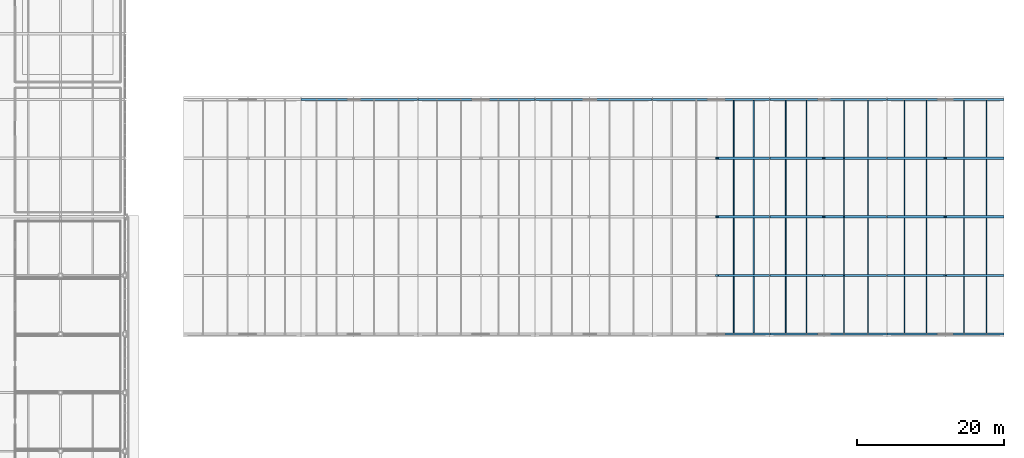
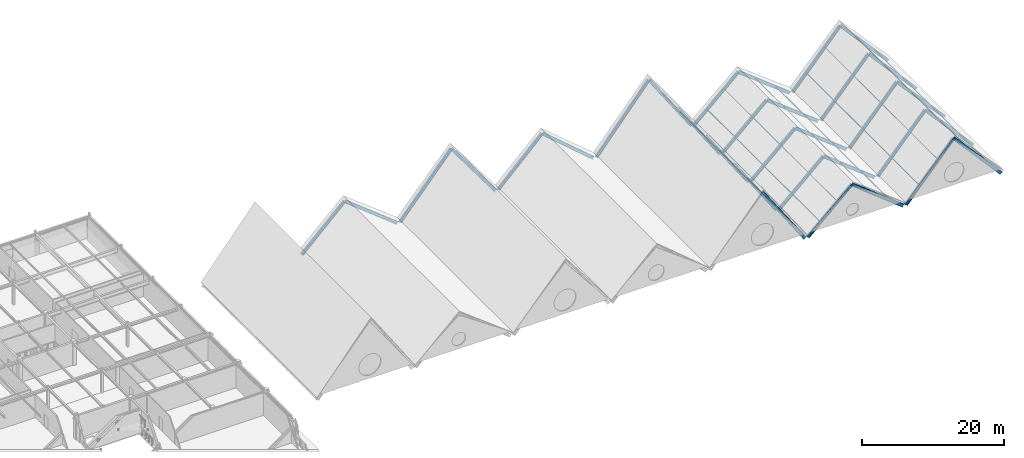
# One storey, part 25 of 64: 42 members.
"""IFC4 building model written with IfcOpenShell, lengths in metres."""

import ifcopenshell
import ifcopenshell.guid

model = None  # the IFC model being written
_history = None  # IfcOwnerHistory: only IFC2X3 demands one
_inside = {}  # id of a spatial element -> (the spatial element, [elements in it])
_under = {}  # id of a project, library or spatial element -> (it, [spatial elements below it])
_declared = {}  # id of a project -> (the project, [libraries it declares])
_typed = {}  # id of a type object -> (the type object, [elements of that type])
_made_of = {}  # id of a material, layer set ... -> (it, [elements and type objects made of it])


def new_model(schema):
    """Start an empty IFC model of exactly this schema.

    Asked for "IFC4X3", IfcOpenShell would pick the latest addendum, in which some entities
    have other attributes; the version numbers below select the first issue.
    IFC2X3 requires an IfcOwnerHistory on every rooted entity: one is made here for all.
    """
    global model, _history
    if schema == "IFC4X3":
        model = ifcopenshell.file(schema_version=(4, 3, 0, 0))
    else:
        model = ifcopenshell.file(schema=schema)
    _inside.clear()
    _under.clear()
    _declared.clear()
    _typed.clear()
    _made_of.clear()
    _history = None
    if model.schema == "IFC2X3":
        org = make("IfcOrganization", Name="unknown")
        user = make(
            "IfcPersonAndOrganization",
            ThePerson=make("IfcPerson", FamilyName="unknown"),
            TheOrganization=org,
        )
        app = make(
            "IfcApplication",
            ApplicationDeveloper=org,
            Version="unknown",
            ApplicationFullName="unknown",
            ApplicationIdentifier="unknown",
        )
        _history = make(
            "IfcOwnerHistory",
            OwningUser=user,
            OwningApplication=app,
            ChangeAction="ADDED",
            CreationDate=0,
        )
    return model


def make(cls, **values):
    """One entity of the class cls with the attributes given. An attribute that is None is left unset."""
    return model.create_entity(
        cls, **{name: value for name, value in values.items() if value is not None}
    )


def rooted(cls, **values):
    """An entity with a GlobalId (a new one), such as an element, a storey or a relation."""
    return make(cls, GlobalId=ifcopenshell.guid.new(), OwnerHistory=_history, **values)


def si_unit(unit_type, name, prefix=None):
    """IfcSIUnit, for example si_unit("LENGTHUNIT", "METRE", prefix="MILLI")."""
    return make("IfcSIUnit", UnitType=unit_type, Prefix=prefix, Name=name)


def assignment(units):
    """IfcUnitAssignment: the units of a project."""
    return None if units is None else make("IfcUnitAssignment", Units=units)


def point(xyz):
    """IfcCartesianPoint."""
    return None if xyz is None else make("IfcCartesianPoint", Coordinates=xyz)


def direction(xyz):
    """IfcDirection."""
    return None if xyz is None else make("IfcDirection", DirectionRatios=xyz)


def frame(location, z_axis=None, x_axis=None):
    """IfcAxis2Placement3D, a coordinate frame: its origin and axes. An axis left out is left unset."""
    return make(
        "IfcAxis2Placement3D",
        Location=point(location),
        Axis=direction(z_axis),
        RefDirection=direction(x_axis),
    )


def frame_2d(location, x_axis=None):
    """IfcAxis2Placement2D, a coordinate frame in the plane: its origin and x axis."""
    return make(
        "IfcAxis2Placement2D", Location=point(location), RefDirection=direction(x_axis)
    )


def origin():
    """The frame at (0, 0, 0) with its axes left unset."""
    return frame((0.0, 0.0, 0.0))


def origin_2d():
    """The frame at (0, 0) in the plane with its x axis left unset."""
    return frame_2d((0.0, 0.0))


def place(relative_to, where):
    """IfcLocalPlacement: puts the frame where relative to a parent placement (None: the world)."""
    return make(
        "IfcLocalPlacement", PlacementRelTo=relative_to, RelativePlacement=where
    )


def context(
    kind, dimensions, precision=None, world=None, true_north=None, identifier=None
):
    """IfcGeometricRepresentationContext, for example the 3D "Model" context."""
    return make(
        "IfcGeometricRepresentationContext",
        ContextIdentifier=identifier,
        ContextType=kind,
        CoordinateSpaceDimension=dimensions,
        Precision=precision,
        WorldCoordinateSystem=world,
        TrueNorth=true_north,
    )


def subcontext(parent, identifier, kind, view, scale=None):
    """IfcGeometricRepresentationSubContext, for example "Body" below "Model"."""
    return make(
        "IfcGeometricRepresentationSubContext",
        ContextIdentifier=identifier,
        ContextType=kind,
        ParentContext=parent,
        TargetScale=scale,
        TargetView=view,
    )


def project(units=None, contexts=None):
    """IfcProject with its units and contexts."""
    return rooted(
        "IfcProject",
        Name="project",
        RepresentationContexts=contexts,
        UnitsInContext=assignment(units),
    )


def spatial(cls, under=None, at=None, **own):
    """A site, building, storey or space (cls), placed at a placement, below another one or the project."""
    s = rooted(cls, ObjectPlacement=at, **own)
    if under is not None:
        _under.setdefault(under.id(), (under, []))[1].append(s)
    return s


def profile(cls, at=None, kind="AREA", **sizes):
    """A parametric profile (cls). Its sizes go by their IFC names, for example OverallWidth=200.0."""
    return make(cls, ProfileType=kind, Position=at, **sizes)


def hollow_rectangle(**sizes):
    """IfcRectangleHollowProfileDef."""
    return profile("IfcRectangleHollowProfileDef", **sizes)


def i_section(**sizes):
    """IfcIShapeProfileDef."""
    return profile("IfcIShapeProfileDef", **sizes)


def extrude(swept, where, along, depth):
    """IfcExtrudedAreaSolid: the profile swept, set in the frame where, extruded along a direction by depth."""
    return make(
        "IfcExtrudedAreaSolid",
        SweptArea=swept,
        Position=where,
        ExtrudedDirection=direction(along),
        Depth=depth,
    )


def shape(context_of_items, identifier, shape_type, items):
    """IfcShapeRepresentation: the items that make up one representation, for example the "Body"."""
    return make(
        "IfcShapeRepresentation",
        ContextOfItems=context_of_items,
        RepresentationIdentifier=identifier,
        RepresentationType=shape_type,
        Items=items,
    )


def material(Name=None, Category=None):
    """IfcMaterial."""
    return make("IfcMaterial", Name=Name, Category=Category)


def material_profile(
    of_material, cross_section, Name=None, Category=None, Priority=None
):
    """IfcMaterialProfile: a cross section and its material."""
    return make(
        "IfcMaterialProfile",
        Name=Name,
        Material=of_material,
        Profile=cross_section,
        Priority=Priority,
        Category=Category,
    )


def profile_set(profiles, Name=None, composite=None):
    """IfcMaterialProfileSet."""
    return make(
        "IfcMaterialProfileSet",
        Name=Name,
        MaterialProfiles=profiles,
        CompositeProfile=composite,
    )


def made_of(thing, what):
    """Note that an element or type object is made of a material, layer set ...; save() writes the relation."""
    if what is not None:
        _made_of.setdefault(what.id(), (what, []))[1].append(thing)
    return thing


def type_object(cls, material=None, **own):
    """A type object (cls), such as IfcWallType, which elements share."""
    return made_of(rooted(cls, **own), material)


def element(
    cls,
    number,
    at=None,
    inside=None,
    cuts=None,
    type_object=None,
    material=None,
    context=None,
    identifier="Body",
    shape_type=None,
    held_by="IfcProductDefinitionShape",
    body=None,
    shapes=None,
    **own,
):
    """One element of the class cls, such as IfcWall. Its Tag is "e" and its number.

    at: its placement. inside: the storey or other place that contains it. cuts: it is an
    opening in that element (IfcRelVoidsElement). A single representation is given by context,
    identifier, shape_type and body (its items); several are given by shapes. held_by: the class
    of the entity that holds the representations. save() writes the other relations.
    """
    e = rooted(cls, Tag="e%d" % number, ObjectPlacement=at, **own)
    if body is not None:
        shapes = [shape(context, identifier, shape_type, body)]
    if shapes is not None:
        e.Representation = make(held_by, Representations=shapes)
    if inside is not None:
        _inside.setdefault(inside.id(), (inside, []))[1].append(e)
    if cuts is not None:
        rooted(
            "IfcRelVoidsElement", RelatingBuildingElement=cuts, RelatedOpeningElement=e
        )
    if type_object is not None:
        _typed.setdefault(type_object.id(), (type_object, []))[1].append(e)
    return made_of(e, material)


def aggregate(whole, parts):
    """IfcRelAggregates: a whole, such as a stair, and the parts it consists of."""
    return rooted("IfcRelAggregates", RelatingObject=whole, RelatedObjects=parts)


def save(model, path):
    """Write the relations noted so far, then the file.

    IfcRelAggregates (storeys below a building ...), IfcRelContainedInSpatialStructure (elements
    in a storey), IfcRelDefinesByType, IfcRelAssociatesMaterial and IfcRelDeclares: one each for
    every whole, place, type object, material and project.
    """
    for whole, parts in _under.values():
        aggregate(whole, parts)
    for where, things in _inside.values():
        rooted(
            "IfcRelContainedInSpatialStructure",
            RelatedElements=things,
            RelatingStructure=where,
        )
    for kind, things in _typed.values():
        rooted("IfcRelDefinesByType", RelatedObjects=things, RelatingType=kind)
    for what, things in _made_of.values():
        rooted("IfcRelAssociatesMaterial", RelatedObjects=things, RelatingMaterial=what)
    for by, libraries in _declared.values():
        rooted("IfcRelDeclares", RelatingContext=by, RelatedDefinitions=libraries)
    model.write(path)


model = new_model("IFC4")

# Units and contexts
model_context = context("Model", 3, precision=1e-05, world=origin(), true_north=direction((0.0, 1.0)))
body_context = subcontext(model_context, "Body", "Model", "MODEL_VIEW")
ifc_project = project(units=[si_unit("LENGTHUNIT", "METRE"), si_unit("AREAUNIT", "SQUARE_METRE"), si_unit("VOLUMEUNIT", "CUBIC_METRE"), si_unit("PLANEANGLEUNIT", "RADIAN"), si_unit("MASSUNIT", "GRAM", prefix="KILO")], contexts=[model_context])

# Site, building, storey
site_placement = place(None, origin())
site = spatial("IfcSite", under=ifc_project, at=site_placement, CompositionType="ELEMENT")
building_placement = place(site_placement, origin())
building = spatial("IfcBuilding", under=site, at=building_placement, Name="Zhaolan Boulevard Law Courts", CompositionType="ELEMENT")
storey_placement = place(building_placement, frame((0.0, 0.0, 20.39990234375)))
storey = spatial("IfcBuildingStorey", under=building, at=storey_placement, Name="L04", CompositionType="ELEMENT", Elevation=20.39990234375)

# Members
ifc_material_1 = material(Name="Structural steel Q355B", Category="steel")
ifc_material_profile_1 = material_profile(ifc_material_1, hollow_rectangle(XDim=0.080078125, YDim=0.1201171875, WallThickness=0.006103515625, InnerFilletRadius=0.006103515625, OuterFilletRadius=0.011962890625, at=origin_2d()), Name="HSS120x80x6")
ifc_profile_set_1 = profile_set([ifc_material_profile_1], Name="Structural steel Q355B")
member_type_1 = type_object("IfcMemberType", Name="PURLIN HSS120", PredefinedType="PURLIN", material=ifc_profile_set_1)
for number, where, z_axis, x_axis, name in (
    (1, (127.10400390625, 62.0, 6.451171875), (0.0, 1.0, 0.0), (-1.0, 0.0, 0.0), "Gable Roof Purlin GPR-5E2"),
    (2, (137.031982421875, 62.0, 3.9130859375), (0.0, 1.0, 0.0), (-1.0, 0.0, 0.0), "Gable Roof Purlin GPR-6W2"),
    (3, (142.152099609375, 62.0, 3.9130859375), (0.0, 1.0, 0.0), (-1.0, 0.0, 0.0), "Gable Roof Purlin GPR-6E2"),
    (4, (153.43994140625, 62.0, 5.377197265625), (0.0, 1.0, 0.0), (-1.0, 0.0, 0.0), "Gable Roof Purlin GPR-7W2"),
    (5, (158.56005859375, 62.0, 5.377197265625), (0.0, 1.0, 0.0), (-1.0, 0.0, 0.0), "Gable Roof Purlin GPR-7E2"),
):
    element("IfcMember", number, at=place(storey_placement, frame(where, z_axis=z_axis, x_axis=x_axis)), inside=storey, type_object=member_type_1, Name=name, PredefinedType="PURLIN", context=body_context, shape_type="SweptSolid", body=[
        extrude(hollow_rectangle(XDim=0.080078125, YDim=0.1201171875, WallThickness=0.006103515625, InnerFilletRadius=0.006103515625, OuterFilletRadius=0.011962890625, at=origin_2d()), origin(), (0.0, 0.0, 1.0), 32.0),
    ])
ifc_material_2 = material(Name="Structural steel Q355B", Category="steel")
ifc_material_profile_2 = material_profile(ifc_material_2, hollow_rectangle(XDim=0.10009765625, YDim=0.14990234375, WallThickness=0.006103515625, InnerFilletRadius=0.006103515625, OuterFilletRadius=0.011962890625, at=origin_2d()), Name="HSS150x100x6")
ifc_profile_set_2 = profile_set([ifc_material_profile_2], Name="Structural steel Q355B")
member_type_2 = type_object("IfcMemberType", Name="PURLIN HSS150", PredefinedType="PURLIN", material=ifc_profile_set_2)
for number, where, z_axis, x_axis, name in (
    (6, (129.840087890625, 62.0, 2.4990234375), (0.0, 1.0, 0.0), (-1.0, 0.0, 0.0), "Gable Roof Purlin GPR-5E1"),
    (7, (134.219970703125, 62.0, 1.405029296875), (0.0, 1.0, 0.0), (-1.0, 0.0, 0.0), "Gable Roof Purlin GPR-6W1"),
    (8, (145.419921875, 62.0, 1.405029296875), (0.0, 1.0, 0.0), (-1.0, 0.0, 0.0), "Gable Roof Purlin GPR-6E1"),
    (9, (150.39990234375, 62.0, 2.033203125), (0.0, 1.0, 0.0), (-1.0, 0.0, 0.0), "Gable Roof Purlin GPR-7W1"),
    (10, (161.60009765625, 62.0, 2.033203125), (0.0, 1.0, 0.0), (-1.0, 0.0, 0.0), "Gable Roof Purlin GPR-7E1"),
):
    element("IfcMember", number, at=place(storey_placement, frame(where, z_axis=z_axis, x_axis=x_axis)), inside=storey, type_object=member_type_2, Name=name, PredefinedType="PURLIN", context=body_context, shape_type="SweptSolid", body=[
        extrude(hollow_rectangle(XDim=0.10009765625, YDim=0.14990234375, WallThickness=0.006103515625, InnerFilletRadius=0.006103515625, OuterFilletRadius=0.011962890625, at=origin_2d()), origin(), (0.0, 0.0, 1.0), 32.0),
    ])
ifc_material_3 = material(Name="Structural steel Q390B", Category="steel")
ifc_material_profile_3 = material_profile(ifc_material_3, i_section(OverallWidth=0.300048828125, OverallDepth=0.48193359375, WebThickness=0.010986328125, FlangeThickness=0.014892578125, FilletRadius=0.02197265625, at=origin_2d()), Name="HM482x300")
ifc_profile_set_3 = profile_set([ifc_material_profile_3], Name="Structural steel Q390B")
member_type_3 = type_object("IfcMemberType", Name="RAFTER HM488", PredefinedType="RAFTER", material=ifc_profile_set_3)
member_1_placement = place(storey_placement, frame((68.199951171875, 94.0, -0.602783203125), z_axis=(0.71728938341, 0.0, 0.696775387372), x_axis=(0.0, 1.0, 0.0)))
element("IfcMember", 11, at=member_1_placement, inside=storey, type_object=member_type_3, Name="Courtroom Gable Rafter GRF-2W", PredefinedType="RAFTER", context=body_context, shape_type="SweptSolid", body=[
    extrude(i_section(OverallWidth=0.300048828125, OverallDepth=0.48193359375, WebThickness=0.010986328125, FlangeThickness=0.014892578125, FilletRadius=0.02197265625, at=origin_2d()), origin(), (0.0, 0.0, 1.0), 9.759033203125),
])
member_2_placement = place(storey_placement, frame((83.800048828125, 94.0, -0.602783203125), z_axis=(-0.784427685291, 0.0, 0.620220288728), x_axis=(0.0, -1.0, 0.0)))
element("IfcMember", 12, at=member_2_placement, inside=storey, type_object=member_type_3, Name="Courtroom Gable Rafter GRF-2E", PredefinedType="RAFTER", context=body_context, shape_type="SweptSolid", body=[
    extrude(i_section(OverallWidth=0.300048828125, OverallDepth=0.48193359375, WebThickness=0.010986328125, FlangeThickness=0.014892578125, FilletRadius=0.02197265625, at=origin_2d()), origin(), (0.0, 0.0, 1.0), 10.963623046875),
])
member_3_placement = place(storey_placement, frame((84.199951171875, 94.0, -0.6337890625), z_axis=(0.650805392633, 0.0, 0.759244585703), x_axis=(0.0, 1.0, 0.0)))
element("IfcMember", 13, at=member_3_placement, inside=storey, type_object=member_type_3, Name="Courtroom Gable Rafter GRF-3W", PredefinedType="RAFTER", context=body_context, shape_type="SweptSolid", body=[
    extrude(i_section(OverallWidth=0.300048828125, OverallDepth=0.48193359375, WebThickness=0.010986328125, FlangeThickness=0.014892578125, FilletRadius=0.02197265625, at=origin_2d()), origin(), (0.0, 0.0, 1.0), 12.9072265625),
])
member_4_placement = place(storey_placement, frame((99.800048828125, 94.0, -0.6337890625), z_axis=(-0.592081489776, 0.0, 0.80587809839), x_axis=(0.0, -1.0, 0.0)))
element("IfcMember", 14, at=member_4_placement, inside=storey, type_object=member_type_3, Name="Courtroom Gable Rafter GRF-3E", PredefinedType="RAFTER", context=body_context, shape_type="SweptSolid", body=[
    extrude(i_section(OverallWidth=0.300048828125, OverallDepth=0.48193359375, WebThickness=0.010986328125, FlangeThickness=0.014892578125, FilletRadius=0.02197265625, at=origin_2d()), origin(), (0.0, 0.0, 1.0), 12.160400390625),
])
member_5_placement = place(storey_placement, frame((100.199951171875, 94.0, -0.60693359375), z_axis=(0.707106781187, 0.0, 0.707106781187), x_axis=(0.0, 1.0, 0.0)))
element("IfcMember", 15, at=member_5_placement, inside=storey, type_object=member_type_3, Name="Courtroom Gable Rafter GRF-4W", PredefinedType="RAFTER", context=body_context, shape_type="SweptSolid", body=[
    extrude(i_section(OverallWidth=0.300048828125, OverallDepth=0.48193359375, WebThickness=0.010986328125, FlangeThickness=0.014892578125, FilletRadius=0.02197265625, at=origin_2d()), origin(), (0.0, 0.0, 1.0), 10.182373046875),
])
member_6_placement = place(storey_placement, frame((115.800048828125, 94.0, -0.60693359375), z_axis=(-0.759264390716, 0.0, 0.650782286936), x_axis=(0.0, -1.0, 0.0)))
element("IfcMember", 16, at=member_6_placement, inside=storey, type_object=member_type_3, Name="Courtroom Gable Rafter GRF-4E", PredefinedType="RAFTER", context=body_context, shape_type="SweptSolid", body=[
    extrude(i_section(OverallWidth=0.300048828125, OverallDepth=0.48193359375, WebThickness=0.010986328125, FlangeThickness=0.014892578125, FilletRadius=0.02197265625, at=origin_2d()), origin(), (0.0, 0.0, 1.0), 11.0634765625),
])
for number, where, z_axis, x_axis, name in (
    (17, (131.800048828125, 62.0, -0.640869140625), (-0.558379977039, 0.0, 0.829585318844), (0.0, -1.0, 0.0), "Courtroom Gable Rafter GRF-5E"),
    (18, (131.800048828125, 70.0, -0.640869140625), (-0.558379977039, 0.0, 0.829585318844), (0.0, -1.0, 0.0), "Courtroom Gable Rafter GRF-5E"),
    (19, (131.800048828125, 78.0, -0.640869140625), (-0.558379977039, 0.0, 0.829585318844), (0.0, -1.0, 0.0), "Courtroom Gable Rafter GRF-5E"),
    (20, (131.800048828125, 86.0, -0.640869140625), (-0.558379977039, 0.0, 0.829585318844), (0.0, -1.0, 0.0), "Courtroom Gable Rafter GRF-5E"),
):
    element("IfcMember", number, at=place(storey_placement, frame(where, z_axis=z_axis, x_axis=x_axis)), inside=storey, type_object=member_type_3, Name=name, PredefinedType="RAFTER", context=body_context, shape_type="SweptSolid", body=[
        extrude(i_section(OverallWidth=0.300048828125, OverallDepth=0.48193359375, WebThickness=0.010986328125, FlangeThickness=0.014892578125, FilletRadius=0.02197265625, at=origin_2d()), origin(), (0.0, 0.0, 1.0), 12.536376953125),
    ])
member_7_placement = place(storey_placement, frame((116.199951171875, 94.0, -0.640869140625), z_axis=(0.637272211232, 0.0, 0.770638779709), x_axis=(0.0, 1.0, 0.0)))
element("IfcMember", 21, at=member_7_placement, inside=storey, type_object=member_type_3, Name="Courtroom Gable Rafter GRF-5W", PredefinedType="RAFTER", context=body_context, shape_type="SweptSolid", body=[
    extrude(i_section(OverallWidth=0.300048828125, OverallDepth=0.48193359375, WebThickness=0.010986328125, FlangeThickness=0.014892578125, FilletRadius=0.02197265625, at=origin_2d()), origin(), (0.0, 0.0, 1.0), 13.4951171875),
])
member_8_placement = place(storey_placement, frame((131.800048828125, 94.0, -0.640869140625), z_axis=(-0.558379977039, 0.0, 0.829585318844), x_axis=(0.0, -1.0, 0.0)))
element("IfcMember", 22, at=member_8_placement, inside=storey, type_object=member_type_3, Name="Courtroom Gable Rafter GRF-5E", PredefinedType="RAFTER", context=body_context, shape_type="SweptSolid", body=[
    extrude(i_section(OverallWidth=0.300048828125, OverallDepth=0.48193359375, WebThickness=0.010986328125, FlangeThickness=0.014892578125, FilletRadius=0.02197265625, at=origin_2d()), origin(), (0.0, 0.0, 1.0), 12.536376953125),
])
member_9_placement = place(storey_placement, frame((132.199951171875, 62.0, -0.594970703125), z_axis=(0.73714687727, 0.0, 0.67573255163), x_axis=(0.0, 1.0, 0.0)))
element("IfcMember", 23, at=member_9_placement, inside=storey, type_object=member_type_3, Name="Courtroom Gable Rafter GRF-6W", PredefinedType="RAFTER", context=body_context, shape_type="SweptSolid", body=[
    extrude(i_section(OverallWidth=0.300048828125, OverallDepth=0.48193359375, WebThickness=0.010986328125, FlangeThickness=0.014892578125, FilletRadius=0.02197265625, at=origin_2d()), origin(), (0.0, 0.0, 1.0), 9.767333984375),
])
member_10_placement = place(storey_placement, frame((147.800048828125, 62.0, -0.594970703125), z_axis=(-0.786319131844, 0.0, 0.61782054263), x_axis=(0.0, -1.0, 0.0)))
element("IfcMember", 24, at=member_10_placement, inside=storey, type_object=member_type_3, Name="Courtroom Gable Rafter GRF-6E", PredefinedType="RAFTER", context=body_context, shape_type="SweptSolid", body=[
    extrude(i_section(OverallWidth=0.300048828125, OverallDepth=0.48193359375, WebThickness=0.010986328125, FlangeThickness=0.014892578125, FilletRadius=0.02197265625, at=origin_2d()), origin(), (0.0, 0.0, 1.0), 10.682861328125),
])
member_11_placement = place(storey_placement, frame((132.199951171875, 70.0, -0.594970703125), z_axis=(0.73714687727, 0.0, 0.67573255163), x_axis=(0.0, 1.0, 0.0)))
element("IfcMember", 25, at=member_11_placement, inside=storey, type_object=member_type_3, Name="Courtroom Gable Rafter GRF-6W", PredefinedType="RAFTER", context=body_context, shape_type="SweptSolid", body=[
    extrude(i_section(OverallWidth=0.300048828125, OverallDepth=0.48193359375, WebThickness=0.010986328125, FlangeThickness=0.014892578125, FilletRadius=0.02197265625, at=origin_2d()), origin(), (0.0, 0.0, 1.0), 9.767333984375),
])
member_12_placement = place(storey_placement, frame((147.800048828125, 70.0, -0.594970703125), z_axis=(-0.786319131844, 0.0, 0.61782054263), x_axis=(0.0, -1.0, 0.0)))
element("IfcMember", 26, at=member_12_placement, inside=storey, type_object=member_type_3, Name="Courtroom Gable Rafter GRF-6E", PredefinedType="RAFTER", context=body_context, shape_type="SweptSolid", body=[
    extrude(i_section(OverallWidth=0.300048828125, OverallDepth=0.48193359375, WebThickness=0.010986328125, FlangeThickness=0.014892578125, FilletRadius=0.02197265625, at=origin_2d()), origin(), (0.0, 0.0, 1.0), 10.682861328125),
])
member_13_placement = place(storey_placement, frame((132.199951171875, 78.0, -0.594970703125), z_axis=(0.73714687727, 0.0, 0.67573255163), x_axis=(0.0, 1.0, 0.0)))
element("IfcMember", 27, at=member_13_placement, inside=storey, type_object=member_type_3, Name="Courtroom Gable Rafter GRF-6W", PredefinedType="RAFTER", context=body_context, shape_type="SweptSolid", body=[
    extrude(i_section(OverallWidth=0.300048828125, OverallDepth=0.48193359375, WebThickness=0.010986328125, FlangeThickness=0.014892578125, FilletRadius=0.02197265625, at=origin_2d()), origin(), (0.0, 0.0, 1.0), 9.767333984375),
])
member_14_placement = place(storey_placement, frame((147.800048828125, 78.0, -0.594970703125), z_axis=(-0.786319131844, 0.0, 0.61782054263), x_axis=(0.0, -1.0, 0.0)))
element("IfcMember", 28, at=member_14_placement, inside=storey, type_object=member_type_3, Name="Courtroom Gable Rafter GRF-6E", PredefinedType="RAFTER", context=body_context, shape_type="SweptSolid", body=[
    extrude(i_section(OverallWidth=0.300048828125, OverallDepth=0.48193359375, WebThickness=0.010986328125, FlangeThickness=0.014892578125, FilletRadius=0.02197265625, at=origin_2d()), origin(), (0.0, 0.0, 1.0), 10.682861328125),
])
member_15_placement = place(storey_placement, frame((132.199951171875, 86.0, -0.594970703125), z_axis=(0.73714687727, 0.0, 0.67573255163), x_axis=(0.0, 1.0, 0.0)))
element("IfcMember", 29, at=member_15_placement, inside=storey, type_object=member_type_3, Name="Courtroom Gable Rafter GRF-6W", PredefinedType="RAFTER", context=body_context, shape_type="SweptSolid", body=[
    extrude(i_section(OverallWidth=0.300048828125, OverallDepth=0.48193359375, WebThickness=0.010986328125, FlangeThickness=0.014892578125, FilletRadius=0.02197265625, at=origin_2d()), origin(), (0.0, 0.0, 1.0), 9.767333984375),
])
member_16_placement = place(storey_placement, frame((147.800048828125, 86.0, -0.594970703125), z_axis=(-0.786319131844, 0.0, 0.61782054263), x_axis=(0.0, -1.0, 0.0)))
element("IfcMember", 30, at=member_16_placement, inside=storey, type_object=member_type_3, Name="Courtroom Gable Rafter GRF-6E", PredefinedType="RAFTER", context=body_context, shape_type="SweptSolid", body=[
    extrude(i_section(OverallWidth=0.300048828125, OverallDepth=0.48193359375, WebThickness=0.010986328125, FlangeThickness=0.014892578125, FilletRadius=0.02197265625, at=origin_2d()), origin(), (0.0, 0.0, 1.0), 10.682861328125),
])
member_17_placement = place(storey_placement, frame((132.199951171875, 94.0, -0.594970703125), z_axis=(0.73714687727, 0.0, 0.67573255163), x_axis=(0.0, 1.0, 0.0)))
element("IfcMember", 31, at=member_17_placement, inside=storey, type_object=member_type_3, Name="Courtroom Gable Rafter GRF-6W", PredefinedType="RAFTER", context=body_context, shape_type="SweptSolid", body=[
    extrude(i_section(OverallWidth=0.300048828125, OverallDepth=0.48193359375, WebThickness=0.010986328125, FlangeThickness=0.014892578125, FilletRadius=0.02197265625, at=origin_2d()), origin(), (0.0, 0.0, 1.0), 9.767333984375),
])
member_18_placement = place(storey_placement, frame((147.800048828125, 94.0, -0.594970703125), z_axis=(-0.786319131844, 0.0, 0.61782054263), x_axis=(0.0, -1.0, 0.0)))
element("IfcMember", 32, at=member_18_placement, inside=storey, type_object=member_type_3, Name="Courtroom Gable Rafter GRF-6E", PredefinedType="RAFTER", context=body_context, shape_type="SweptSolid", body=[
    extrude(i_section(OverallWidth=0.300048828125, OverallDepth=0.48193359375, WebThickness=0.010986328125, FlangeThickness=0.014892578125, FilletRadius=0.02197265625, at=origin_2d()), origin(), (0.0, 0.0, 1.0), 10.682861328125),
])
for number, where, z_axis, x_axis, name in (
    (33, (148.199951171875, 62.0, -0.626953125), (0.663307778563, 0.0, 0.748346705009), (0.0, 1.0, 0.0), "Courtroom Gable Rafter GRF-7W"),
    (34, (163.800048828125, 62.0, -0.626953125), (-0.663307778563, 0.0, 0.748346705009), (0.0, -1.0, 0.0), "Courtroom Gable Rafter GRF-7E"),
    (35, (148.199951171875, 70.0, -0.626953125), (0.663307778563, 0.0, 0.748346705009), (0.0, 1.0, 0.0), "Courtroom Gable Rafter GRF-7W"),
    (36, (163.800048828125, 70.0, -0.626953125), (-0.663307778563, 0.0, 0.748346705009), (0.0, -1.0, 0.0), "Courtroom Gable Rafter GRF-7E"),
    (37, (148.199951171875, 78.0, -0.626953125), (0.663307778563, 0.0, 0.748346705009), (0.0, 1.0, 0.0), "Courtroom Gable Rafter GRF-7W"),
    (38, (163.800048828125, 78.0, -0.626953125), (-0.663307778563, 0.0, 0.748346705009), (0.0, -1.0, 0.0), "Courtroom Gable Rafter GRF-7E"),
    (39, (148.199951171875, 86.0, -0.626953125), (0.663307778563, 0.0, 0.748346705009), (0.0, 1.0, 0.0), "Courtroom Gable Rafter GRF-7W"),
    (40, (163.800048828125, 86.0, -0.626953125), (-0.663307778563, 0.0, 0.748346705009), (0.0, -1.0, 0.0), "Courtroom Gable Rafter GRF-7E"),
    (41, (148.199951171875, 94.0, -0.626953125), (0.663307778563, 0.0, 0.748346705009), (0.0, 1.0, 0.0), "Courtroom Gable Rafter GRF-7W"),
    (42, (163.800048828125, 94.0, -0.626953125), (-0.663307778563, 0.0, 0.748346705009), (0.0, -1.0, 0.0), "Courtroom Gable Rafter GRF-7E"),
):
    element("IfcMember", number, at=place(storey_placement, frame(where, z_axis=z_axis, x_axis=x_axis)), inside=storey, type_object=member_type_3, Name=name, PredefinedType="RAFTER", context=body_context, shape_type="SweptSolid", body=[
        extrude(i_section(OverallWidth=0.300048828125, OverallDepth=0.48193359375, WebThickness=0.010986328125, FlangeThickness=0.014892578125, FilletRadius=0.02197265625, at=origin_2d()), origin(), (0.0, 0.0, 1.0), 11.75927734375),
    ])

save(model, "model.ifc")
